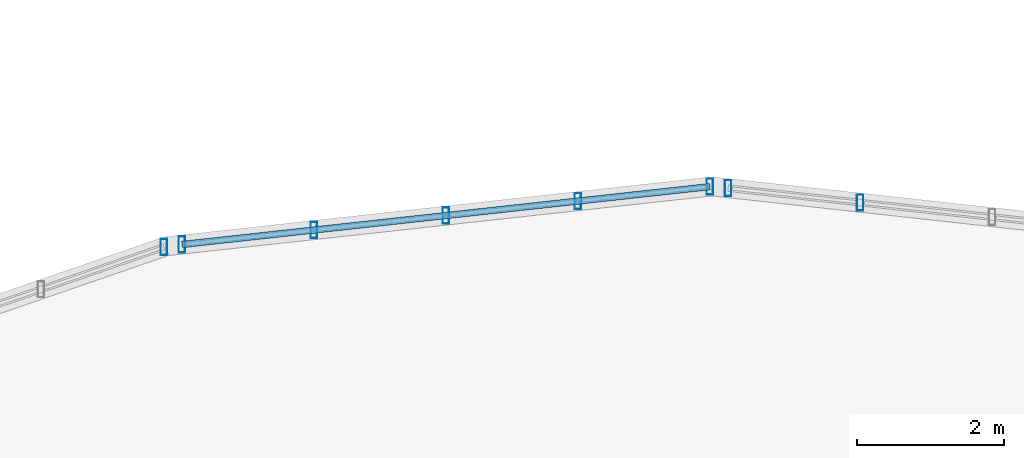
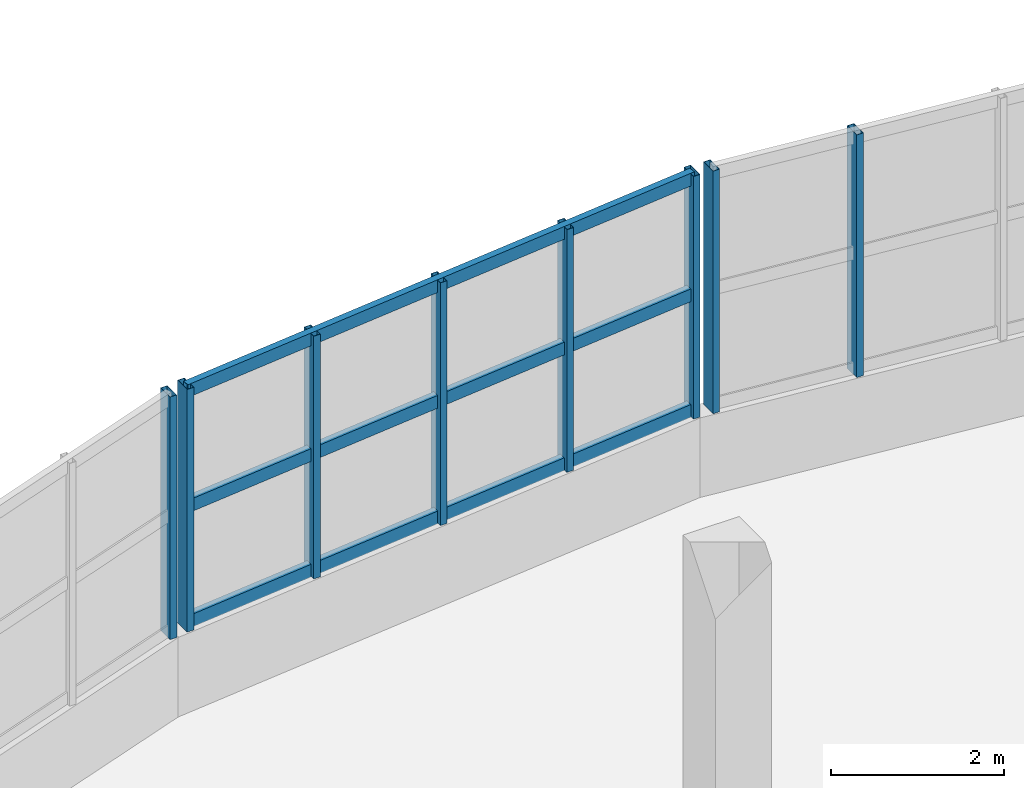
# One storey, part 16 of 77: 11 members, 3 elements without a shape of their own.
"""IFC4 building model written with IfcOpenShell, lengths in metres."""

import ifcopenshell
import ifcopenshell.guid

model = None  # the IFC model being written
_history = None  # IfcOwnerHistory: only IFC2X3 demands one
_inside = {}  # id of a spatial element -> (the spatial element, [elements in it])
_under = {}  # id of a project, library or spatial element -> (it, [spatial elements below it])
_declared = {}  # id of a project -> (the project, [libraries it declares])
_typed = {}  # id of a type object -> (the type object, [elements of that type])
_made_of = {}  # id of a material, layer set ... -> (it, [elements and type objects made of it])


def new_model(schema):
    """Start an empty IFC model of exactly this schema.

    Asked for "IFC4X3", IfcOpenShell would pick the latest addendum, in which some entities
    have other attributes; the version numbers below select the first issue.
    IFC2X3 requires an IfcOwnerHistory on every rooted entity: one is made here for all.
    """
    global model, _history
    if schema == "IFC4X3":
        model = ifcopenshell.file(schema_version=(4, 3, 0, 0))
    else:
        model = ifcopenshell.file(schema=schema)
    _inside.clear()
    _under.clear()
    _declared.clear()
    _typed.clear()
    _made_of.clear()
    _history = None
    if model.schema == "IFC2X3":
        org = make("IfcOrganization", Name="unknown")
        user = make(
            "IfcPersonAndOrganization",
            ThePerson=make("IfcPerson", FamilyName="unknown"),
            TheOrganization=org,
        )
        app = make(
            "IfcApplication",
            ApplicationDeveloper=org,
            Version="unknown",
            ApplicationFullName="unknown",
            ApplicationIdentifier="unknown",
        )
        _history = make(
            "IfcOwnerHistory",
            OwningUser=user,
            OwningApplication=app,
            ChangeAction="ADDED",
            CreationDate=0,
        )
    return model


def make(cls, **values):
    """One entity of the class cls with the attributes given. An attribute that is None is left unset."""
    return model.create_entity(
        cls, **{name: value for name, value in values.items() if value is not None}
    )


def rooted(cls, **values):
    """An entity with a GlobalId (a new one), such as an element, a storey or a relation."""
    return make(cls, GlobalId=ifcopenshell.guid.new(), OwnerHistory=_history, **values)


def si_unit(unit_type, name, prefix=None):
    """IfcSIUnit, for example si_unit("LENGTHUNIT", "METRE", prefix="MILLI")."""
    return make("IfcSIUnit", UnitType=unit_type, Prefix=prefix, Name=name)


def assignment(units):
    """IfcUnitAssignment: the units of a project."""
    return None if units is None else make("IfcUnitAssignment", Units=units)


def point(xyz):
    """IfcCartesianPoint."""
    return None if xyz is None else make("IfcCartesianPoint", Coordinates=xyz)


def direction(xyz):
    """IfcDirection."""
    return None if xyz is None else make("IfcDirection", DirectionRatios=xyz)


def frame(location, z_axis=None, x_axis=None):
    """IfcAxis2Placement3D, a coordinate frame: its origin and axes. An axis left out is left unset."""
    return make(
        "IfcAxis2Placement3D",
        Location=point(location),
        Axis=direction(z_axis),
        RefDirection=direction(x_axis),
    )


def frame_2d(location, x_axis=None):
    """IfcAxis2Placement2D, a coordinate frame in the plane: its origin and x axis."""
    return make(
        "IfcAxis2Placement2D", Location=point(location), RefDirection=direction(x_axis)
    )


def origin():
    """The frame at (0, 0, 0) with its axes left unset."""
    return frame((0.0, 0.0, 0.0))


def origin_2d():
    """The frame at (0, 0) in the plane with its x axis left unset."""
    return frame_2d((0.0, 0.0))


def place(relative_to, where):
    """IfcLocalPlacement: puts the frame where relative to a parent placement (None: the world)."""
    return make(
        "IfcLocalPlacement", PlacementRelTo=relative_to, RelativePlacement=where
    )


def context(
    kind, dimensions, precision=None, world=None, true_north=None, identifier=None
):
    """IfcGeometricRepresentationContext, for example the 3D "Model" context."""
    return make(
        "IfcGeometricRepresentationContext",
        ContextIdentifier=identifier,
        ContextType=kind,
        CoordinateSpaceDimension=dimensions,
        Precision=precision,
        WorldCoordinateSystem=world,
        TrueNorth=true_north,
    )


def subcontext(parent, identifier, kind, view, scale=None):
    """IfcGeometricRepresentationSubContext, for example "Body" below "Model"."""
    return make(
        "IfcGeometricRepresentationSubContext",
        ContextIdentifier=identifier,
        ContextType=kind,
        ParentContext=parent,
        TargetScale=scale,
        TargetView=view,
    )


def project(units=None, contexts=None):
    """IfcProject with its units and contexts."""
    return rooted(
        "IfcProject",
        Name="project",
        RepresentationContexts=contexts,
        UnitsInContext=assignment(units),
    )


def spatial(cls, under=None, at=None, **own):
    """A site, building, storey or space (cls), placed at a placement, below another one or the project."""
    s = rooted(cls, ObjectPlacement=at, **own)
    if under is not None:
        _under.setdefault(under.id(), (under, []))[1].append(s)
    return s


def profile(cls, at=None, kind="AREA", **sizes):
    """A parametric profile (cls). Its sizes go by their IFC names, for example OverallWidth=200.0."""
    return make(cls, ProfileType=kind, Position=at, **sizes)


def hollow_rectangle(**sizes):
    """IfcRectangleHollowProfileDef."""
    return profile("IfcRectangleHollowProfileDef", **sizes)


def extrude(swept, where, along, depth):
    """IfcExtrudedAreaSolid: the profile swept, set in the frame where, extruded along a direction by depth."""
    return make(
        "IfcExtrudedAreaSolid",
        SweptArea=swept,
        Position=where,
        ExtrudedDirection=direction(along),
        Depth=depth,
    )


def shape(context_of_items, identifier, shape_type, items):
    """IfcShapeRepresentation: the items that make up one representation, for example the "Body"."""
    return make(
        "IfcShapeRepresentation",
        ContextOfItems=context_of_items,
        RepresentationIdentifier=identifier,
        RepresentationType=shape_type,
        Items=items,
    )


def material(Name=None, Category=None):
    """IfcMaterial."""
    return make("IfcMaterial", Name=Name, Category=Category)


def material_profile(
    of_material, cross_section, Name=None, Category=None, Priority=None
):
    """IfcMaterialProfile: a cross section and its material."""
    return make(
        "IfcMaterialProfile",
        Name=Name,
        Material=of_material,
        Profile=cross_section,
        Priority=Priority,
        Category=Category,
    )


def profile_set(profiles, Name=None, composite=None):
    """IfcMaterialProfileSet."""
    return make(
        "IfcMaterialProfileSet",
        Name=Name,
        MaterialProfiles=profiles,
        CompositeProfile=composite,
    )


def made_of(thing, what):
    """Note that an element or type object is made of a material, layer set ...; save() writes the relation."""
    if what is not None:
        _made_of.setdefault(what.id(), (what, []))[1].append(thing)
    return thing


def type_object(cls, material=None, **own):
    """A type object (cls), such as IfcWallType, which elements share."""
    return made_of(rooted(cls, **own), material)


def element(
    cls,
    number,
    at=None,
    inside=None,
    cuts=None,
    type_object=None,
    material=None,
    context=None,
    identifier="Body",
    shape_type=None,
    held_by="IfcProductDefinitionShape",
    body=None,
    shapes=None,
    **own,
):
    """One element of the class cls, such as IfcWall. Its Tag is "e" and its number.

    at: its placement. inside: the storey or other place that contains it. cuts: it is an
    opening in that element (IfcRelVoidsElement). A single representation is given by context,
    identifier, shape_type and body (its items); several are given by shapes. held_by: the class
    of the entity that holds the representations. save() writes the other relations.
    """
    e = rooted(cls, Tag="e%d" % number, ObjectPlacement=at, **own)
    if body is not None:
        shapes = [shape(context, identifier, shape_type, body)]
    if shapes is not None:
        e.Representation = make(held_by, Representations=shapes)
    if inside is not None:
        _inside.setdefault(inside.id(), (inside, []))[1].append(e)
    if cuts is not None:
        rooted(
            "IfcRelVoidsElement", RelatingBuildingElement=cuts, RelatedOpeningElement=e
        )
    if type_object is not None:
        _typed.setdefault(type_object.id(), (type_object, []))[1].append(e)
    return made_of(e, material)


def aggregate(whole, parts):
    """IfcRelAggregates: a whole, such as a stair, and the parts it consists of."""
    return rooted("IfcRelAggregates", RelatingObject=whole, RelatedObjects=parts)


def save(model, path):
    """Write the relations noted so far, then the file.

    IfcRelAggregates (storeys below a building ...), IfcRelContainedInSpatialStructure (elements
    in a storey), IfcRelDefinesByType, IfcRelAssociatesMaterial and IfcRelDeclares: one each for
    every whole, place, type object, material and project.
    """
    for whole, parts in _under.values():
        aggregate(whole, parts)
    for where, things in _inside.values():
        rooted(
            "IfcRelContainedInSpatialStructure",
            RelatedElements=things,
            RelatingStructure=where,
        )
    for kind, things in _typed.values():
        rooted("IfcRelDefinesByType", RelatedObjects=things, RelatingType=kind)
    for what, things in _made_of.values():
        rooted("IfcRelAssociatesMaterial", RelatedObjects=things, RelatingMaterial=what)
    for by, libraries in _declared.values():
        rooted("IfcRelDeclares", RelatingContext=by, RelatedDefinitions=libraries)
    model.write(path)


model = new_model("IFC4")

# Units and contexts
model_context = context("Model", 3, precision=1e-05, world=origin(), true_north=direction((0.0, 1.0)))
body_context = subcontext(model_context, "Body", "Model", "MODEL_VIEW")
ifc_project = project(units=[si_unit("LENGTHUNIT", "METRE"), si_unit("AREAUNIT", "SQUARE_METRE"), si_unit("VOLUMEUNIT", "CUBIC_METRE"), si_unit("PLANEANGLEUNIT", "RADIAN"), si_unit("MASSUNIT", "GRAM", prefix="KILO")], contexts=[model_context])

# Site, building, storey
site_placement = place(None, origin())
site = spatial("IfcSite", under=ifc_project, at=site_placement, CompositionType="ELEMENT")
building_placement = place(site_placement, origin())
building = spatial("IfcBuilding", under=site, at=building_placement, Name="Solvento Point Concert Hall", CompositionType="ELEMENT")
storey_placement = place(building_placement, frame((0.0, 0.0, 10.199951171875)))
storey = spatial("IfcBuildingStorey", under=building, at=storey_placement, Name="L02", CompositionType="ELEMENT", Elevation=10.199951171875)

# Curtain wall, member
ifc_material_1 = material(Name="Anodized Bronze Aluminium", Category="aluminium")
curtain_wall_type = type_object("IfcCurtainWallType", Name="CurtainWall_RingRibbon_L01_02", PredefinedType="USERDEFINED", material=ifc_material_1)
curtain_wall_1_placement = place(storey_placement, origin())
curtain_wall_1 = element("IfcCurtainWall", 1, at=curtain_wall_1_placement, inside=storey, type_object=curtain_wall_type, Name="Unitised curtain wall CW-59 UCW-L02-174", ObjectType="UNITISED CURTAIN WALL", PredefinedType="USERDEFINED")
ifc_material_2 = material(Name="Anodized Bronze Aluminium", Category="aluminium")
ifc_material_profile_1 = material_profile(ifc_material_2, hollow_rectangle(XDim=0.090087890625, YDim=0.219970703125, WallThickness=0.00439453125, at=origin_2d()), Name="CW-MUL-90X220")
ifc_profile_set_1 = profile_set([ifc_material_profile_1], Name="Anodized Bronze Aluminium")
member_type_1 = type_object("IfcMemberType", Name="Mullion_90x220", PredefinedType="MULLION", material=ifc_profile_set_1)
member_1_placement = place(storey_placement, frame((53.717529296875, 57.17236328125, 1.1201171875), z_axis=(0.0, 0.0, 1.0), x_axis=(1.0, 0.0, 0.0)))
member_1 = element("IfcMember", 2, at=member_1_placement, type_object=member_type_1, Name="Curtain wall mullion ML-02", PredefinedType="MULLION", context=body_context, shape_type="SweptSolid", body=[
    extrude(hollow_rectangle(XDim=0.090087890625, YDim=0.219970703125, WallThickness=0.00439453125, at=origin_2d()), origin(), (0.0, 0.0, 1.0), 3.419921875),
])
aggregate(curtain_wall_1, [member_1])

# Curtain wall, members
curtain_wall_2_placement = place(storey_placement, origin())
curtain_wall_2 = element("IfcCurtainWall", 3, at=curtain_wall_2_placement, inside=storey, type_object=curtain_wall_type, Name="Unitised curtain wall CW-59 UCW-L02-175", ObjectType="UNITISED CURTAIN WALL", PredefinedType="USERDEFINED")
member_2_placement = place(storey_placement, frame((53.964599609375, 57.206298828125, 1.1201171875), z_axis=(0.0, 0.0, 1.0), x_axis=(1.0, 0.0, 0.0)))
member_2 = element("IfcMember", 4, at=member_2_placement, type_object=member_type_1, Name="Curtain wall mullion ML-02", PredefinedType="MULLION", context=body_context, shape_type="SweptSolid", body=[
    extrude(hollow_rectangle(XDim=0.090087890625, YDim=0.219970703125, WallThickness=0.00439453125, at=origin_2d()), origin(), (0.0, 0.0, 1.0), 3.419921875),
])
member_3_placement = place(storey_placement, frame((55.76611328125, 57.40380859375, 1.1201171875), z_axis=(0.0, 0.0, 1.0), x_axis=(1.0, 0.0, 0.0)))
member_3 = element("IfcMember", 5, at=member_3_placement, type_object=member_type_1, Name="Curtain wall mullion ML-02", PredefinedType="MULLION", context=body_context, shape_type="SweptSolid", body=[
    extrude(hollow_rectangle(XDim=0.090087890625, YDim=0.219970703125, WallThickness=0.00439453125, at=origin_2d()), origin(), (0.0, 0.0, 1.0), 3.419921875),
])
member_4_placement = place(storey_placement, frame((57.5673828125, 57.6015625, 1.1201171875), z_axis=(0.0, 0.0, 1.0), x_axis=(1.0, 0.0, 0.0)))
member_4 = element("IfcMember", 6, at=member_4_placement, type_object=member_type_1, Name="Curtain wall mullion ML-02", PredefinedType="MULLION", context=body_context, shape_type="SweptSolid", body=[
    extrude(hollow_rectangle(XDim=0.090087890625, YDim=0.219970703125, WallThickness=0.00439453125, at=origin_2d()), origin(), (0.0, 0.0, 1.0), 3.419921875),
])
member_5_placement = place(storey_placement, frame((59.368896484375, 57.799072265625, 1.1201171875), z_axis=(0.0, 0.0, 1.0), x_axis=(1.0, 0.0, 0.0)))
member_5 = element("IfcMember", 7, at=member_5_placement, type_object=member_type_1, Name="Curtain wall mullion ML-02", PredefinedType="MULLION", context=body_context, shape_type="SweptSolid", body=[
    extrude(hollow_rectangle(XDim=0.090087890625, YDim=0.219970703125, WallThickness=0.00439453125, at=origin_2d()), origin(), (0.0, 0.0, 1.0), 3.419921875),
])
member_6_placement = place(storey_placement, frame((61.170166015625, 57.99658203125, 1.1201171875), z_axis=(0.0, 0.0, 1.0), x_axis=(1.0, 0.0, 0.0)))
member_6 = element("IfcMember", 8, at=member_6_placement, type_object=member_type_1, Name="Curtain wall mullion ML-02", PredefinedType="MULLION", context=body_context, shape_type="SweptSolid", body=[
    extrude(hollow_rectangle(XDim=0.090087890625, YDim=0.219970703125, WallThickness=0.00439453125, at=origin_2d()), origin(), (0.0, 0.0, 1.0), 3.419921875),
])

curtain_wall_3_placement = place(storey_placement, origin())
curtain_wall_3 = element("IfcCurtainWall", 9, at=curtain_wall_3_placement, inside=storey, type_object=curtain_wall_type, Name="Unitised curtain wall CW-59 UCW-L02-176", ObjectType="UNITISED CURTAIN WALL", PredefinedType="USERDEFINED")
member_7_placement = place(storey_placement, frame((61.418701171875, 57.97607421875, 1.1201171875), z_axis=(0.0, 0.0, 1.0), x_axis=(1.0, 0.0, 0.0)))
member_7 = element("IfcMember", 10, at=member_7_placement, type_object=member_type_1, Name="Curtain wall mullion ML-02", PredefinedType="MULLION", context=body_context, shape_type="SweptSolid", body=[
    extrude(hollow_rectangle(XDim=0.090087890625, YDim=0.219970703125, WallThickness=0.00439453125, at=origin_2d()), origin(), (0.0, 0.0, 1.0), 3.419921875),
])
member_8_placement = place(storey_placement, frame((63.22021484375, 57.7783203125, 1.1201171875), z_axis=(0.0, 0.0, 1.0), x_axis=(1.0, 0.0, 0.0)))
member_8 = element("IfcMember", 11, at=member_8_placement, type_object=member_type_1, Name="Curtain wall mullion ML-02", PredefinedType="MULLION", context=body_context, shape_type="SweptSolid", body=[
    extrude(hollow_rectangle(XDim=0.090087890625, YDim=0.219970703125, WallThickness=0.00439453125, at=origin_2d()), origin(), (0.0, 0.0, 1.0), 3.419921875),
])
aggregate(curtain_wall_3, [member_7, member_8])

# Member
ifc_material_3 = material(Name="Anodized Bronze Aluminium", Category="aluminium")
ifc_material_profile_2 = material_profile(ifc_material_3, hollow_rectangle(XDim=0.090087890625, YDim=0.179931640625, WallThickness=0.00439453125, at=origin_2d()), Name="CW-TRN-90X180")
ifc_profile_set_2 = profile_set([ifc_material_profile_2], Name="Anodized Bronze Aluminium")
member_type_2 = type_object("IfcMemberType", Name="Transom_90x180", PredefinedType="USERDEFINED", material=ifc_profile_set_2)
member_9_placement = place(storey_placement, frame((53.964599609375, 57.206298828125, 1.199951171875), z_axis=(0.994039226754, 0.109023005252, 0.0), x_axis=(-0.109023005252, 0.994039226754, 0.0)))
member_9 = element("IfcMember", 12, at=member_9_placement, type_object=member_type_2, Name="Curtain wall transom TR-02", ObjectType="TRANSOM", PredefinedType="USERDEFINED", context=body_context, shape_type="SweptSolid", body=[
    extrude(hollow_rectangle(XDim=0.090087890625, YDim=0.179931640625, WallThickness=0.00439453125, at=origin_2d()), origin(), (0.0, 0.0, 1.0), 7.248779296875),
])

member_10_placement = place(storey_placement, frame((53.964599609375, 57.206298828125, 2.830078125), z_axis=(0.994039226754, 0.109023005252, 0.0), x_axis=(-0.109023005252, 0.994039226754, 0.0)))
member_10 = element("IfcMember", 13, at=member_10_placement, type_object=member_type_2, Name="Curtain wall transom TR-02", ObjectType="TRANSOM", PredefinedType="USERDEFINED", context=body_context, shape_type="SweptSolid", body=[
    extrude(hollow_rectangle(XDim=0.090087890625, YDim=0.179931640625, WallThickness=0.00439453125, at=origin_2d()), origin(), (0.0, 0.0, 1.0), 7.248779296875),
])

member_11_placement = place(storey_placement, frame((53.964599609375, 57.206298828125, 4.4599609375), z_axis=(0.994039226754, 0.109023005252, 0.0), x_axis=(-0.109023005252, 0.994039226754, 0.0)))
member_11 = element("IfcMember", 14, at=member_11_placement, type_object=member_type_2, Name="Curtain wall transom TR-02", ObjectType="TRANSOM", PredefinedType="USERDEFINED", context=body_context, shape_type="SweptSolid", body=[
    extrude(hollow_rectangle(XDim=0.090087890625, YDim=0.179931640625, WallThickness=0.00439453125, at=origin_2d()), origin(), (0.0, 0.0, 1.0), 7.248779296875),
])

aggregate(curtain_wall_2, [member_2, member_3, member_4, member_5, member_6, member_9, member_10, member_11])

save(model, "model.ifc")
